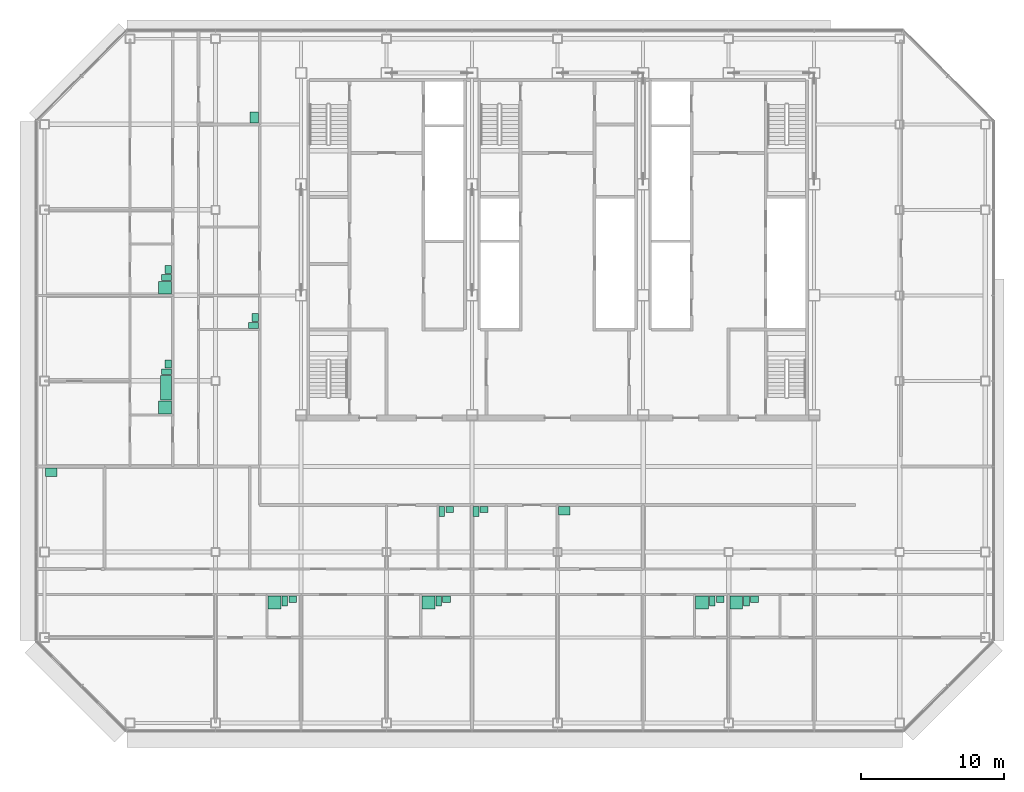
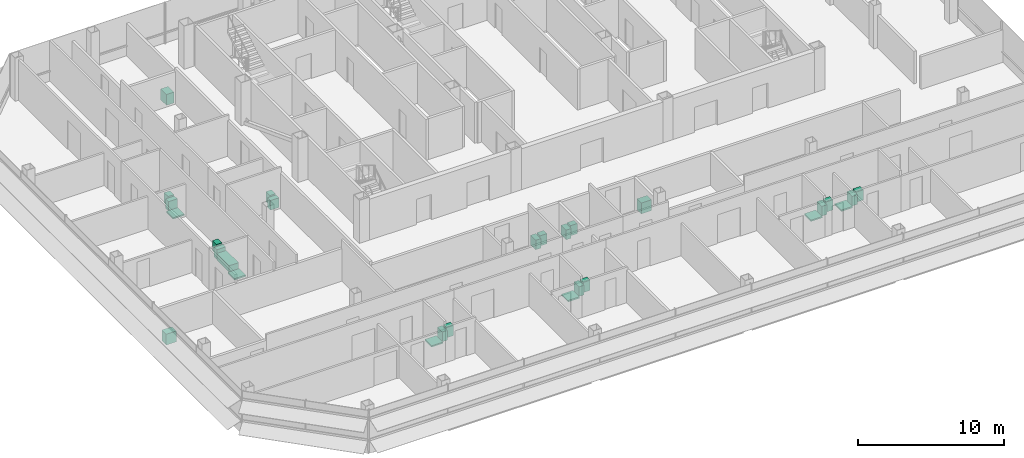
# One storey, part 27 of 27: 28 sanitary terminals.
"""IFC4 building model written with IfcOpenShell, lengths in metres."""

from ifc_helpers import new_model, si_unit, direction, frame, origin, origin_2d, place, context, subcontext, project, spatial, rectangle, extrude, element, save


model = new_model("IFC4")

# Units and contexts
model_context = context("Model", 3, precision=1e-05, world=origin(), true_north=direction((0.0, 1.0)))
body_context = subcontext(model_context, "Body", "Model", "MODEL_VIEW")
ifc_project = project(units=[si_unit("LENGTHUNIT", "METRE"), si_unit("AREAUNIT", "SQUARE_METRE"), si_unit("VOLUMEUNIT", "CUBIC_METRE"), si_unit("PLANEANGLEUNIT", "RADIAN"), si_unit("MASSUNIT", "GRAM", prefix="KILO")], contexts=[model_context])

# Site, building, storey
site_placement = place(None, origin())
site = spatial("IfcSite", under=ifc_project, at=site_placement, CompositionType="ELEMENT")
building_placement = place(site_placement, origin())
building = spatial("IfcBuilding", under=site, at=building_placement, Name="Sorahane Residences", CompositionType="ELEMENT")
storey_placement = place(building_placement, frame((0.0, 0.0, 202.800048828125)))
storey = spatial("IfcBuildingStorey", under=building, at=storey_placement, Name="L47", CompositionType="ELEMENT", Elevation=202.800048828125)

# Sanitary terminals
sanitary_terminal_1_placement = place(storey_placement, frame((4.1298828125, 8.449951171875, 0.0), z_axis=(0.0, 0.0, 1.0), x_axis=(1.0, 0.0, 0.0)))
element("IfcSanitaryTerminal", 1, at=sanitary_terminal_1_placement, inside=storey, Name="Shower tray En-suite bathroom 47A", PredefinedType="SHOWER", context=body_context, shape_type="SweptSolid", body=[
    extrude(rectangle(XDim=0.89990234375, YDim=0.89990234375, at=origin_2d()), origin(), (0.0, 0.0, 1.0), 0.1201171875),
])
sanitary_terminal_2_placement = place(storey_placement, frame((4.860107421875, 8.550048828125, 0.0), z_axis=(0.0, 0.0, 1.0), x_axis=(1.0, 0.0, 0.0)))
element("IfcSanitaryTerminal", 2, at=sanitary_terminal_2_placement, inside=storey, Name="WC pan En-suite bathroom 47A", PredefinedType="TOILETPAN", context=body_context, shape_type="SweptSolid", body=[
    extrude(rectangle(XDim=0.39990234375, YDim=0.699951171875, at=origin_2d()), origin(), (0.0, 0.0, 1.0), 0.800048828125),
])
sanitary_terminal_3_placement = place(storey_placement, frame((5.4150390625, 8.675048828125, 0.0), z_axis=(0.0, 0.0, 1.0), x_axis=(1.0, 0.0, 0.0)))
element("IfcSanitaryTerminal", 3, at=sanitary_terminal_3_placement, inside=storey, Name="Wash basin En-suite bathroom 47A", PredefinedType="WASHHANDBASIN", context=body_context, shape_type="SweptSolid", body=[
    extrude(rectangle(XDim=0.550048828125, YDim=0.449951171875, at=origin_2d()), origin(), (0.0, 0.0, 1.0), 0.85009765625),
])
sanitary_terminal_4_placement = place(storey_placement, frame((14.929931640625, 8.449951171875, 0.0), z_axis=(0.0, 0.0, 1.0), x_axis=(1.0, 0.0, 0.0)))
element("IfcSanitaryTerminal", 4, at=sanitary_terminal_4_placement, inside=storey, Name="Shower tray En-suite bathroom 47A-2", PredefinedType="SHOWER", context=body_context, shape_type="SweptSolid", body=[
    extrude(rectangle(XDim=0.89990234375, YDim=0.89990234375, at=origin_2d()), origin(), (0.0, 0.0, 1.0), 0.1201171875),
])
sanitary_terminal_5_placement = place(storey_placement, frame((15.659912109375, 8.550048828125, 0.0), z_axis=(0.0, 0.0, 1.0), x_axis=(1.0, 0.0, 0.0)))
element("IfcSanitaryTerminal", 5, at=sanitary_terminal_5_placement, inside=storey, Name="WC pan En-suite bathroom 47A-2", PredefinedType="TOILETPAN", context=body_context, shape_type="SweptSolid", body=[
    extrude(rectangle(XDim=0.39990234375, YDim=0.699951171875, at=origin_2d()), origin(), (0.0, 0.0, 1.0), 0.800048828125),
])
sanitary_terminal_6_placement = place(storey_placement, frame((16.215087890625, 8.675048828125, 0.0), z_axis=(0.0, 0.0, 1.0), x_axis=(1.0, 0.0, 0.0)))
element("IfcSanitaryTerminal", 6, at=sanitary_terminal_6_placement, inside=storey, Name="Wash basin En-suite bathroom 47A-2", PredefinedType="WASHHANDBASIN", context=body_context, shape_type="SweptSolid", body=[
    extrude(rectangle(XDim=0.550048828125, YDim=0.449951171875, at=origin_2d()), origin(), (0.0, 0.0, 1.0), 0.85009765625),
])
sanitary_terminal_7_placement = place(storey_placement, frame((-11.52001953125, 17.60009765625, 0.0), z_axis=(0.0, 0.0, 1.0), x_axis=(1.0, 0.0, 0.0)))
element("IfcSanitaryTerminal", 7, at=sanitary_terminal_7_placement, inside=storey, Name="Kitchen sink Kitchen 47A", PredefinedType="SINK", context=body_context, shape_type="SweptSolid", body=[
    extrude(rectangle(XDim=0.800048828125, YDim=0.60009765625, at=origin_2d()), origin(), (0.0, 0.0, 1.0), 0.89990234375),
])
sanitary_terminal_8_placement = place(storey_placement, frame((15.8798828125, 14.85009765625, 0.0), z_axis=(0.0, 0.0, 1.0), x_axis=(1.0, 0.0, 0.0)))
element("IfcSanitaryTerminal", 8, at=sanitary_terminal_8_placement, inside=storey, Name="WC pan Powder room 47A", PredefinedType="TOILETPAN", context=body_context, shape_type="SweptSolid", body=[
    extrude(rectangle(XDim=0.39990234375, YDim=0.699951171875, at=origin_2d()), origin(), (0.0, 0.0, 1.0), 0.800048828125),
])
sanitary_terminal_9_placement = place(storey_placement, frame((16.43505859375, 14.97509765625, 0.0), z_axis=(0.0, 0.0, 1.0), x_axis=(1.0, 0.0, 0.0)))
element("IfcSanitaryTerminal", 9, at=sanitary_terminal_9_placement, inside=storey, Name="Wash basin Powder room 47A", PredefinedType="WASHHANDBASIN", context=body_context, shape_type="SweptSolid", body=[
    extrude(rectangle(XDim=0.550048828125, YDim=0.449951171875, at=origin_2d()), origin(), (0.0, 0.0, 1.0), 0.85009765625),
])
sanitary_terminal_10_placement = place(storey_placement, frame((34.1298828125, 8.449951171875, 0.0), z_axis=(0.0, 0.0, 1.0), x_axis=(1.0, 0.0, 0.0)))
element("IfcSanitaryTerminal", 10, at=sanitary_terminal_10_placement, inside=storey, Name="Shower tray En-suite bathroom 47B", PredefinedType="SHOWER", context=body_context, shape_type="SweptSolid", body=[
    extrude(rectangle(XDim=0.89990234375, YDim=0.89990234375, at=origin_2d()), origin(), (0.0, 0.0, 1.0), 0.1201171875),
])
sanitary_terminal_11_placement = place(storey_placement, frame((34.860107421875, 8.550048828125, 0.0), z_axis=(0.0, 0.0, 1.0), x_axis=(1.0, 0.0, 0.0)))
element("IfcSanitaryTerminal", 11, at=sanitary_terminal_11_placement, inside=storey, Name="WC pan En-suite bathroom 47B", PredefinedType="TOILETPAN", context=body_context, shape_type="SweptSolid", body=[
    extrude(rectangle(XDim=0.39990234375, YDim=0.699951171875, at=origin_2d()), origin(), (0.0, 0.0, 1.0), 0.800048828125),
])
sanitary_terminal_12_placement = place(storey_placement, frame((35.4150390625, 8.675048828125, 0.0), z_axis=(0.0, 0.0, 1.0), x_axis=(1.0, 0.0, 0.0)))
element("IfcSanitaryTerminal", 12, at=sanitary_terminal_12_placement, inside=storey, Name="Wash basin En-suite bathroom 47B", PredefinedType="WASHHANDBASIN", context=body_context, shape_type="SweptSolid", body=[
    extrude(rectangle(XDim=0.550048828125, YDim=0.449951171875, at=origin_2d()), origin(), (0.0, 0.0, 1.0), 0.85009765625),
])
sanitary_terminal_13_placement = place(storey_placement, frame((36.530029296875, 8.449951171875, 0.0), z_axis=(0.0, 0.0, 1.0), x_axis=(1.0, 0.0, 0.0)))
element("IfcSanitaryTerminal", 13, at=sanitary_terminal_13_placement, inside=storey, Name="Shower tray En-suite bathroom 47B-2", PredefinedType="SHOWER", context=body_context, shape_type="SweptSolid", body=[
    extrude(rectangle(XDim=0.89990234375, YDim=0.89990234375, at=origin_2d()), origin(), (0.0, 0.0, 1.0), 0.1201171875),
])
sanitary_terminal_14_placement = place(storey_placement, frame((37.260009765625, 8.550048828125, 0.0), z_axis=(0.0, 0.0, 1.0), x_axis=(1.0, 0.0, 0.0)))
element("IfcSanitaryTerminal", 14, at=sanitary_terminal_14_placement, inside=storey, Name="WC pan En-suite bathroom 47B-2", PredefinedType="TOILETPAN", context=body_context, shape_type="SweptSolid", body=[
    extrude(rectangle(XDim=0.39990234375, YDim=0.699951171875, at=origin_2d()), origin(), (0.0, 0.0, 1.0), 0.800048828125),
])
sanitary_terminal_15_placement = place(storey_placement, frame((37.81494140625, 8.675048828125, 0.0), z_axis=(0.0, 0.0, 1.0), x_axis=(1.0, 0.0, 0.0)))
element("IfcSanitaryTerminal", 15, at=sanitary_terminal_15_placement, inside=storey, Name="Wash basin En-suite bathroom 47B-2", PredefinedType="WASHHANDBASIN", context=body_context, shape_type="SweptSolid", body=[
    extrude(rectangle(XDim=0.550048828125, YDim=0.449951171875, at=origin_2d()), origin(), (0.0, 0.0, 1.0), 0.85009765625),
])
sanitary_terminal_16_placement = place(storey_placement, frame((18.280029296875, 14.85009765625, 0.0), z_axis=(0.0, 0.0, 1.0), x_axis=(1.0, 0.0, 0.0)))
element("IfcSanitaryTerminal", 16, at=sanitary_terminal_16_placement, inside=storey, Name="WC pan Guest WC 47B", PredefinedType="TOILETPAN", context=body_context, shape_type="SweptSolid", body=[
    extrude(rectangle(XDim=0.39990234375, YDim=0.699951171875, at=origin_2d()), origin(), (0.0, 0.0, 1.0), 0.800048828125),
])
sanitary_terminal_17_placement = place(storey_placement, frame((18.8349609375, 14.97509765625, 0.0), z_axis=(0.0, 0.0, 1.0), x_axis=(1.0, 0.0, 0.0)))
element("IfcSanitaryTerminal", 17, at=sanitary_terminal_17_placement, inside=storey, Name="Wash basin Guest WC 47B", PredefinedType="WASHHANDBASIN", context=body_context, shape_type="SweptSolid", body=[
    extrude(rectangle(XDim=0.550048828125, YDim=0.449951171875, at=origin_2d()), origin(), (0.0, 0.0, 1.0), 0.85009765625),
])
sanitary_terminal_18_placement = place(storey_placement, frame((24.47998046875, 14.89990234375, 0.0), z_axis=(0.0, 0.0, 1.0), x_axis=(1.0, 0.0, 0.0)))
element("IfcSanitaryTerminal", 18, at=sanitary_terminal_18_placement, inside=storey, Name="Kitchen sink Kitchen 47B", PredefinedType="SINK", context=body_context, shape_type="SweptSolid", body=[
    extrude(rectangle(XDim=0.800048828125, YDim=0.60009765625, at=origin_2d()), origin(), (0.0, 0.0, 1.0), 0.89990234375),
])
sanitary_terminal_19_placement = place(storey_placement, frame((-3.550048828125, 22.1298828125, 0.0), z_axis=(0.0, 0.0, 1.0), x_axis=(0.0, -1.0, 0.0)))
element("IfcSanitaryTerminal", 19, at=sanitary_terminal_19_placement, inside=storey, Name="Shower tray En-suite bathroom 47C", PredefinedType="SHOWER", context=body_context, shape_type="SweptSolid", body=[
    extrude(rectangle(XDim=0.89990234375, YDim=0.89990234375, at=origin_2d()), origin(), (0.0, 0.0, 1.0), 0.1201171875),
])
sanitary_terminal_20_placement = place(storey_placement, frame((-3.47509765625, 23.510009765625, 0.0), z_axis=(0.0, 0.0, 1.0), x_axis=(0.0, -1.0, 0.0)))
element("IfcSanitaryTerminal", 20, at=sanitary_terminal_20_placement, inside=storey, Name="Bath En-suite bathroom 47C", PredefinedType="BATH", context=body_context, shape_type="SweptSolid", body=[
    extrude(rectangle(XDim=1.699951171875, YDim=0.75, at=origin_2d()), origin(), (0.0, 0.0, 1.0), 0.56005859375),
])
sanitary_terminal_21_placement = place(storey_placement, frame((-3.449951171875, 24.639892578125, 0.0), z_axis=(0.0, 0.0, 1.0), x_axis=(0.0, -1.0, 0.0)))
element("IfcSanitaryTerminal", 21, at=sanitary_terminal_21_placement, inside=storey, Name="WC pan En-suite bathroom 47C", PredefinedType="TOILETPAN", context=body_context, shape_type="SweptSolid", body=[
    extrude(rectangle(XDim=0.39990234375, YDim=0.699951171875, at=origin_2d()), origin(), (0.0, 0.0, 1.0), 0.800048828125),
])
sanitary_terminal_22_placement = place(storey_placement, frame((-3.324951171875, 25.195068359375, 0.0), z_axis=(0.0, 0.0, 1.0), x_axis=(0.0, -1.0, 0.0)))
element("IfcSanitaryTerminal", 22, at=sanitary_terminal_22_placement, inside=storey, Name="Wash basin En-suite bathroom 47C", PredefinedType="WASHHANDBASIN", context=body_context, shape_type="SweptSolid", body=[
    extrude(rectangle(XDim=0.550048828125, YDim=0.449951171875, at=origin_2d()), origin(), (0.0, 0.0, 1.0), 0.85009765625),
])
sanitary_terminal_23_placement = place(storey_placement, frame((-3.550048828125, 30.530029296875, 0.0), z_axis=(0.0, 0.0, 1.0), x_axis=(0.0, -1.0, 0.0)))
element("IfcSanitaryTerminal", 23, at=sanitary_terminal_23_placement, inside=storey, Name="Shower tray En-suite bathroom 47C-2", PredefinedType="SHOWER", context=body_context, shape_type="SweptSolid", body=[
    extrude(rectangle(XDim=0.89990234375, YDim=0.89990234375, at=origin_2d()), origin(), (0.0, 0.0, 1.0), 0.1201171875),
])
sanitary_terminal_24_placement = place(storey_placement, frame((-3.449951171875, 31.260009765625, 0.0), z_axis=(0.0, 0.0, 1.0), x_axis=(0.0, -1.0, 0.0)))
element("IfcSanitaryTerminal", 24, at=sanitary_terminal_24_placement, inside=storey, Name="WC pan En-suite bathroom 47C-2", PredefinedType="TOILETPAN", context=body_context, shape_type="SweptSolid", body=[
    extrude(rectangle(XDim=0.39990234375, YDim=0.699951171875, at=origin_2d()), origin(), (0.0, 0.0, 1.0), 0.800048828125),
])
sanitary_terminal_25_placement = place(storey_placement, frame((-3.324951171875, 31.81494140625, 0.0), z_axis=(0.0, 0.0, 1.0), x_axis=(0.0, -1.0, 0.0)))
element("IfcSanitaryTerminal", 25, at=sanitary_terminal_25_placement, inside=storey, Name="Wash basin En-suite bathroom 47C-2", PredefinedType="WASHHANDBASIN", context=body_context, shape_type="SweptSolid", body=[
    extrude(rectangle(XDim=0.550048828125, YDim=0.449951171875, at=origin_2d()), origin(), (0.0, 0.0, 1.0), 0.85009765625),
])
sanitary_terminal_26_placement = place(storey_placement, frame((2.64990234375, 27.8798828125, 0.0), z_axis=(0.0, 0.0, 1.0), x_axis=(0.0, -1.0, 0.0)))
element("IfcSanitaryTerminal", 26, at=sanitary_terminal_26_placement, inside=storey, Name="WC pan Powder room 47C", PredefinedType="TOILETPAN", context=body_context, shape_type="SweptSolid", body=[
    extrude(rectangle(XDim=0.39990234375, YDim=0.699951171875, at=origin_2d()), origin(), (0.0, 0.0, 1.0), 0.800048828125),
])
sanitary_terminal_27_placement = place(storey_placement, frame((2.77490234375, 28.43505859375, 0.0), z_axis=(0.0, 0.0, 1.0), x_axis=(0.0, -1.0, 0.0)))
element("IfcSanitaryTerminal", 27, at=sanitary_terminal_27_placement, inside=storey, Name="Wash basin Powder room 47C", PredefinedType="WASHHANDBASIN", context=body_context, shape_type="SweptSolid", body=[
    extrude(rectangle(XDim=0.550048828125, YDim=0.449951171875, at=origin_2d()), origin(), (0.0, 0.0, 1.0), 0.85009765625),
])
sanitary_terminal_28_placement = place(storey_placement, frame((2.699951171875, 42.47998046875, 0.0), z_axis=(0.0, 0.0, 1.0), x_axis=(0.0, -1.0, 0.0)))
element("IfcSanitaryTerminal", 28, at=sanitary_terminal_28_placement, inside=storey, Name="Kitchen sink Kitchen 47C", PredefinedType="SINK", context=body_context, shape_type="SweptSolid", body=[
    extrude(rectangle(XDim=0.800048828125, YDim=0.60009765625, at=origin_2d()), origin(), (0.0, 0.0, 1.0), 0.89990234375),
])

save(model, "model.ifc")
